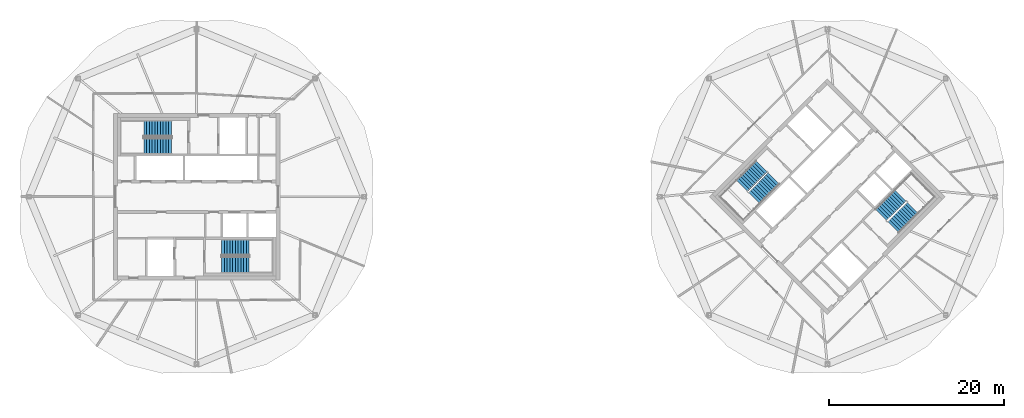
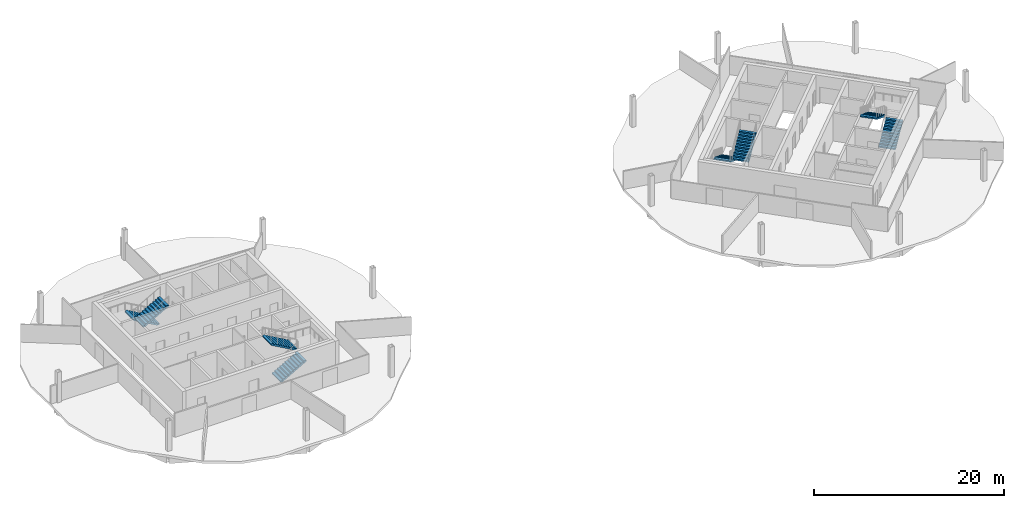
# One storey, part 9 of 10: 8 stair flights, 4 elements without a shape of their own.
"""IFC4 building model written with IfcOpenShell, lengths in metres."""

from ifc_helpers import new_model, si_unit, direction, frame, origin, place, context, subcontext, project, spatial, polyline, outline, extrude, material, type_object, element, aggregate, save


model = new_model("IFC4")

# Units and contexts
model_context = context("Model", 3, precision=1e-05, world=origin(), true_north=direction((0.0, 1.0)))
body_context = subcontext(model_context, "Body", "Model", "MODEL_VIEW")
ifc_project = project(units=[si_unit("LENGTHUNIT", "METRE"), si_unit("AREAUNIT", "SQUARE_METRE"), si_unit("VOLUMEUNIT", "CUBIC_METRE"), si_unit("PLANEANGLEUNIT", "RADIAN"), si_unit("MASSUNIT", "GRAM", prefix="KILO")], contexts=[model_context])

# Site, building, storey
site_placement = place(None, origin())
site = spatial("IfcSite", under=ifc_project, at=site_placement, CompositionType="ELEMENT")
building_placement = place(site_placement, origin())
building = spatial("IfcBuilding", under=site, at=building_placement, Name="Ogive Gate Towers", CompositionType="ELEMENT")
storey_placement = place(building_placement, frame((0.0, 0.0, 232.800048828125)))
storey = spatial("IfcBuildingStorey", under=building, at=storey_placement, Name="L55", CompositionType="ELEMENT", Elevation=232.800048828125)

# Stair, stair flights
ifc_material = material(Name="Concrete C40/50", Category="concrete")
stair_type = type_object("IfcStairType", Name="Escape stair 1840 wide", PredefinedType="HALF_TURN_STAIR", material=ifc_material)
stair_1_placement = place(storey_placement, origin())
stair_1 = element("IfcStair", 1, at=stair_1_placement, inside=storey, type_object=stair_type, Name="L55 Escape stair 1", PredefinedType="HALF_TURN_STAIR")
stair_flight_type = type_object("IfcStairFlightType", Name="Stair flight 1840 wide", PredefinedType="STRAIGHT", material=ifc_material)
stair_flight_1_placement = place(storey_placement, frame((-38.864990234375, 7.780029296875, 0.0), z_axis=(0.0, 0.0, 1.0), x_axis=(-1.0, 0.0, 0.0)))
stair_flight_1 = element("IfcStairFlight", 2, at=stair_flight_1_placement, type_object=stair_flight_type, Name="ST1 flight 1", NumberOfRisers=11, NumberOfTreads=10, PredefinedType="STRAIGHT", RiserHeight=0.177272727, TreadLength=0.313636364, context=body_context, shape_type="SweptSolid", body=[
    extrude(outline(polyline([(0.0, 0.0), (0.0, 0.17724609375), (0.313720703125, 0.17724609375), (0.313720703125, 0.3544921875), (0.627197265625, 0.3544921875), (0.627197265625, 0.53173828125), (0.94091796875, 0.53173828125), (0.94091796875, 0.708984375), (1.254638671875, 0.708984375), (1.254638671875, 0.886474609375), (1.568115234375, 0.886474609375), (1.568115234375, 1.063720703125), (1.8818359375, 1.063720703125), (1.8818359375, 1.240966796875), (2.195556640625, 1.240966796875), (2.195556640625, 1.418212890625), (2.509033203125, 1.418212890625), (2.509033203125, 1.595458984375), (2.82275390625, 1.595458984375), (2.82275390625, 1.772705078125), (3.136474609375, 1.772705078125), (3.136474609375, 1.949951171875), (3.136474609375, 1.6005859375), (0.3046875, 0.0), (0.0, 0.0)])), frame((0.0, 0.919921875, 0.0), z_axis=(0.0, -1.0, 0.0), x_axis=(1.0, 0.0, 0.0)), (0.0, 0.0, 1.0), 1.840087890625),
])
stair_flight_2_placement = place(storey_placement, frame((-42.00146484375, 5.794921875, 1.949951171875), z_axis=(0.0, 0.0, 1.0), x_axis=(1.0, 0.0, 0.0)))
stair_flight_2 = element("IfcStairFlight", 3, at=stair_flight_2_placement, type_object=stair_flight_type, Name="ST1 flight 2", NumberOfRisers=11, NumberOfTreads=10, PredefinedType="STRAIGHT", RiserHeight=0.177272727, TreadLength=0.313636364, context=body_context, shape_type="SweptSolid", body=[
    extrude(outline(polyline([(0.0, 0.0), (0.0, 0.17724609375), (0.313720703125, 0.17724609375), (0.313720703125, 0.3544921875), (0.627197265625, 0.3544921875), (0.627197265625, 0.53173828125), (0.94091796875, 0.53173828125), (0.94091796875, 0.708984375), (1.254638671875, 0.708984375), (1.254638671875, 0.886474609375), (1.568115234375, 0.886474609375), (1.568115234375, 1.063720703125), (1.8818359375, 1.063720703125), (1.8818359375, 1.240966796875), (2.195556640625, 1.240966796875), (2.195556640625, 1.418212890625), (2.509033203125, 1.418212890625), (2.509033203125, 1.595458984375), (2.82275390625, 1.595458984375), (2.82275390625, 1.772705078125), (3.136474609375, 1.772705078125), (3.136474609375, 1.949951171875), (3.136474609375, 1.6005859375), (0.3046875, 0.0), (0.0, 0.0)])), frame((0.0, 0.919921875, 0.0), z_axis=(0.0, -1.0, 0.0), x_axis=(1.0, 0.0, 0.0)), (0.0, 0.0, 1.0), 1.840087890625),
])
aggregate(stair_1, [stair_flight_1, stair_flight_2])

stair_2_placement = place(storey_placement, origin())
stair_2 = element("IfcStair", 4, at=stair_2_placement, inside=storey, type_object=stair_type, Name="L55 Escape stair 2", PredefinedType="HALF_TURN_STAIR")
stair_flight_3_placement = place(storey_placement, frame((-33.135009765625, -7.780029296875, 0.0), z_axis=(0.0, 0.0, 1.0), x_axis=(1.0, 0.0, 0.0)))
stair_flight_3 = element("IfcStairFlight", 5, at=stair_flight_3_placement, type_object=stair_flight_type, Name="ST2 flight 1", NumberOfRisers=11, NumberOfTreads=10, PredefinedType="STRAIGHT", RiserHeight=0.177272727, TreadLength=0.313636364, context=body_context, shape_type="SweptSolid", body=[
    extrude(outline(polyline([(0.0, 0.0), (0.0, 0.17724609375), (0.313720703125, 0.17724609375), (0.313720703125, 0.3544921875), (0.627197265625, 0.3544921875), (0.627197265625, 0.53173828125), (0.94091796875, 0.53173828125), (0.94091796875, 0.708984375), (1.254638671875, 0.708984375), (1.254638671875, 0.886474609375), (1.568115234375, 0.886474609375), (1.568115234375, 1.063720703125), (1.8818359375, 1.063720703125), (1.8818359375, 1.240966796875), (2.195556640625, 1.240966796875), (2.195556640625, 1.418212890625), (2.509033203125, 1.418212890625), (2.509033203125, 1.595458984375), (2.82275390625, 1.595458984375), (2.82275390625, 1.772705078125), (3.136474609375, 1.772705078125), (3.136474609375, 1.949951171875), (3.136474609375, 1.6005859375), (0.3046875, 0.0), (0.0, 0.0)])), frame((0.0, 0.919921875, 0.0), z_axis=(0.0, -1.0, 0.0), x_axis=(1.0, 0.0, 0.0)), (0.0, 0.0, 1.0), 1.840087890625),
])
stair_flight_4_placement = place(storey_placement, frame((-29.99853515625, -5.794921875, 1.949951171875), z_axis=(0.0, 0.0, 1.0), x_axis=(-1.0, 0.0, 0.0)))
stair_flight_4 = element("IfcStairFlight", 6, at=stair_flight_4_placement, type_object=stair_flight_type, Name="ST2 flight 2", NumberOfRisers=11, NumberOfTreads=10, PredefinedType="STRAIGHT", RiserHeight=0.177272727, TreadLength=0.313636364, context=body_context, shape_type="SweptSolid", body=[
    extrude(outline(polyline([(0.0, 0.0), (0.0, 0.17724609375), (0.313720703125, 0.17724609375), (0.313720703125, 0.3544921875), (0.627197265625, 0.3544921875), (0.627197265625, 0.53173828125), (0.94091796875, 0.53173828125), (0.94091796875, 0.708984375), (1.254638671875, 0.708984375), (1.254638671875, 0.886474609375), (1.568115234375, 0.886474609375), (1.568115234375, 1.063720703125), (1.8818359375, 1.063720703125), (1.8818359375, 1.240966796875), (2.195556640625, 1.240966796875), (2.195556640625, 1.418212890625), (2.509033203125, 1.418212890625), (2.509033203125, 1.595458984375), (2.82275390625, 1.595458984375), (2.82275390625, 1.772705078125), (3.136474609375, 1.772705078125), (3.136474609375, 1.949951171875), (3.136474609375, 1.6005859375), (0.3046875, 0.0), (0.0, 0.0)])), frame((0.0, 0.919921875, 0.0), z_axis=(0.0, -1.0, 0.0), x_axis=(1.0, 0.0, 0.0)), (0.0, 0.0, 1.0), 1.840087890625),
])
aggregate(stair_2, [stair_flight_3, stair_flight_4])

stair_3_placement = place(storey_placement, origin())
stair_3 = element("IfcStair", 7, at=stair_3_placement, inside=storey, type_object=stair_type, Name="L55 Escape stair 1", PredefinedType="HALF_TURN_STAIR")
stair_flight_5_placement = place(storey_placement, frame((28.472900390625, 3.475341796875, 0.0), z_axis=(0.0, 0.0, 1.0), x_axis=(-0.707106781187, -0.707106781187, 0.0)))
stair_flight_5 = element("IfcStairFlight", 8, at=stair_flight_5_placement, type_object=stair_flight_type, Name="ST1 flight 1", NumberOfRisers=11, NumberOfTreads=10, PredefinedType="STRAIGHT", RiserHeight=0.177272727, TreadLength=0.313636364, context=body_context, shape_type="SweptSolid", body=[
    extrude(outline(polyline([(0.0, 0.0), (0.0, 0.17724609375), (0.313720703125, 0.17724609375), (0.313720703125, 0.3544921875), (0.627197265625, 0.3544921875), (0.627197265625, 0.53173828125), (0.94091796875, 0.53173828125), (0.94091796875, 0.708984375), (1.254638671875, 0.708984375), (1.254638671875, 0.886474609375), (1.568115234375, 0.886474609375), (1.568115234375, 1.063720703125), (1.8818359375, 1.063720703125), (1.8818359375, 1.240966796875), (2.195556640625, 1.240966796875), (2.195556640625, 1.418212890625), (2.509033203125, 1.418212890625), (2.509033203125, 1.595458984375), (2.82275390625, 1.595458984375), (2.82275390625, 1.772705078125), (3.136474609375, 1.772705078125), (3.136474609375, 1.949951171875), (3.136474609375, 1.6005859375), (0.3046875, 0.0), (0.0, 0.0)])), frame((0.0, 0.919921875, 0.0), z_axis=(0.0, -1.0, 0.0), x_axis=(1.0, 0.0, 0.0)), (0.0, 0.0, 1.0), 1.840087890625),
])
stair_flight_6_placement = place(storey_placement, frame((27.65869140625, -0.14599609375, 1.949951171875), z_axis=(0.0, 0.0, 1.0), x_axis=(0.707106781187, 0.707106781187, 0.0)))
stair_flight_6 = element("IfcStairFlight", 9, at=stair_flight_6_placement, type_object=stair_flight_type, Name="ST1 flight 2", NumberOfRisers=11, NumberOfTreads=10, PredefinedType="STRAIGHT", RiserHeight=0.177272727, TreadLength=0.313636364, context=body_context, shape_type="SweptSolid", body=[
    extrude(outline(polyline([(0.0, 0.0), (0.0, 0.17724609375), (0.313720703125, 0.17724609375), (0.313720703125, 0.3544921875), (0.627197265625, 0.3544921875), (0.627197265625, 0.53173828125), (0.94091796875, 0.53173828125), (0.94091796875, 0.708984375), (1.254638671875, 0.708984375), (1.254638671875, 0.886474609375), (1.568115234375, 0.886474609375), (1.568115234375, 1.063720703125), (1.8818359375, 1.063720703125), (1.8818359375, 1.240966796875), (2.195556640625, 1.240966796875), (2.195556640625, 1.418212890625), (2.509033203125, 1.418212890625), (2.509033203125, 1.595458984375), (2.82275390625, 1.595458984375), (2.82275390625, 1.772705078125), (3.136474609375, 1.772705078125), (3.136474609375, 1.949951171875), (3.136474609375, 1.6005859375), (0.3046875, 0.0), (0.0, 0.0)])), frame((0.0, 0.919921875, 0.0), z_axis=(0.0, -1.0, 0.0), x_axis=(1.0, 0.0, 0.0)), (0.0, 0.0, 1.0), 1.840087890625),
])
aggregate(stair_3, [stair_flight_5, stair_flight_6])

stair_4_placement = place(storey_placement, origin())
stair_4 = element("IfcStair", 10, at=stair_4_placement, inside=storey, type_object=stair_type, Name="L55 Escape stair 2", PredefinedType="HALF_TURN_STAIR")
stair_flight_7_placement = place(storey_placement, frame((43.527099609375, -3.475341796875, 0.0), z_axis=(0.0, 0.0, 1.0), x_axis=(0.707106781187, 0.707106781187, 0.0)))
stair_flight_7 = element("IfcStairFlight", 11, at=stair_flight_7_placement, type_object=stair_flight_type, Name="ST2 flight 1", NumberOfRisers=11, NumberOfTreads=10, PredefinedType="STRAIGHT", RiserHeight=0.177272727, TreadLength=0.313636364, context=body_context, shape_type="SweptSolid", body=[
    extrude(outline(polyline([(0.0, 0.0), (0.0, 0.17724609375), (0.313720703125, 0.17724609375), (0.313720703125, 0.3544921875), (0.627197265625, 0.3544921875), (0.627197265625, 0.53173828125), (0.94091796875, 0.53173828125), (0.94091796875, 0.708984375), (1.254638671875, 0.708984375), (1.254638671875, 0.886474609375), (1.568115234375, 0.886474609375), (1.568115234375, 1.063720703125), (1.8818359375, 1.063720703125), (1.8818359375, 1.240966796875), (2.195556640625, 1.240966796875), (2.195556640625, 1.418212890625), (2.509033203125, 1.418212890625), (2.509033203125, 1.595458984375), (2.82275390625, 1.595458984375), (2.82275390625, 1.772705078125), (3.136474609375, 1.772705078125), (3.136474609375, 1.949951171875), (3.136474609375, 1.6005859375), (0.3046875, 0.0), (0.0, 0.0)])), frame((0.0, 0.919921875, 0.0), z_axis=(0.0, -1.0, 0.0), x_axis=(1.0, 0.0, 0.0)), (0.0, 0.0, 1.0), 1.840087890625),
])
stair_flight_8_placement = place(storey_placement, frame((44.34130859375, 0.14599609375, 1.949951171875), z_axis=(0.0, 0.0, 1.0), x_axis=(-0.707106781187, -0.707106781187, 0.0)))
stair_flight_8 = element("IfcStairFlight", 12, at=stair_flight_8_placement, type_object=stair_flight_type, Name="ST2 flight 2", NumberOfRisers=11, NumberOfTreads=10, PredefinedType="STRAIGHT", RiserHeight=0.177272727, TreadLength=0.313636364, context=body_context, shape_type="SweptSolid", body=[
    extrude(outline(polyline([(0.0, 0.0), (0.0, 0.17724609375), (0.313720703125, 0.17724609375), (0.313720703125, 0.3544921875), (0.627197265625, 0.3544921875), (0.627197265625, 0.53173828125), (0.94091796875, 0.53173828125), (0.94091796875, 0.708984375), (1.254638671875, 0.708984375), (1.254638671875, 0.886474609375), (1.568115234375, 0.886474609375), (1.568115234375, 1.063720703125), (1.8818359375, 1.063720703125), (1.8818359375, 1.240966796875), (2.195556640625, 1.240966796875), (2.195556640625, 1.418212890625), (2.509033203125, 1.418212890625), (2.509033203125, 1.595458984375), (2.82275390625, 1.595458984375), (2.82275390625, 1.772705078125), (3.136474609375, 1.772705078125), (3.136474609375, 1.949951171875), (3.136474609375, 1.6005859375), (0.3046875, 0.0), (0.0, 0.0)])), frame((0.0, 0.919921875, 0.0), z_axis=(0.0, -1.0, 0.0), x_axis=(1.0, 0.0, 0.0)), (0.0, 0.0, 1.0), 1.840087890625),
])
aggregate(stair_4, [stair_flight_7, stair_flight_8])

save(model, "model.ifc")
